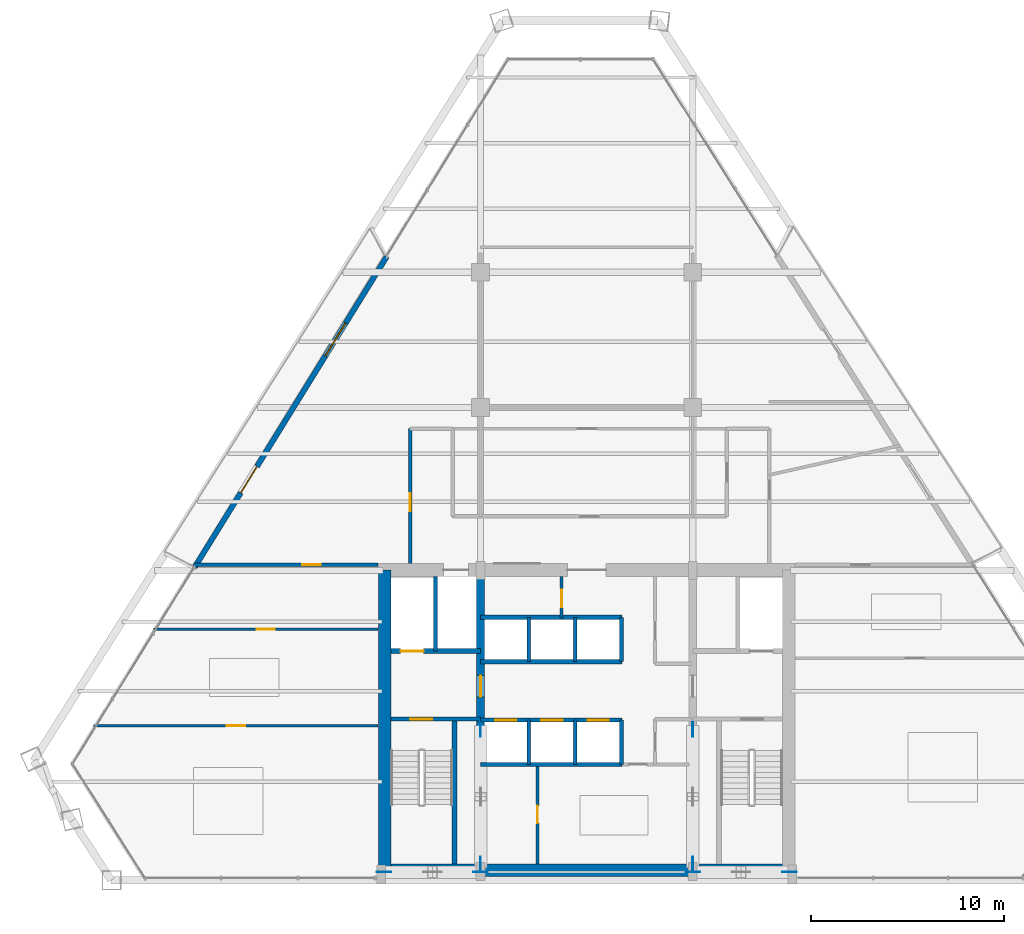
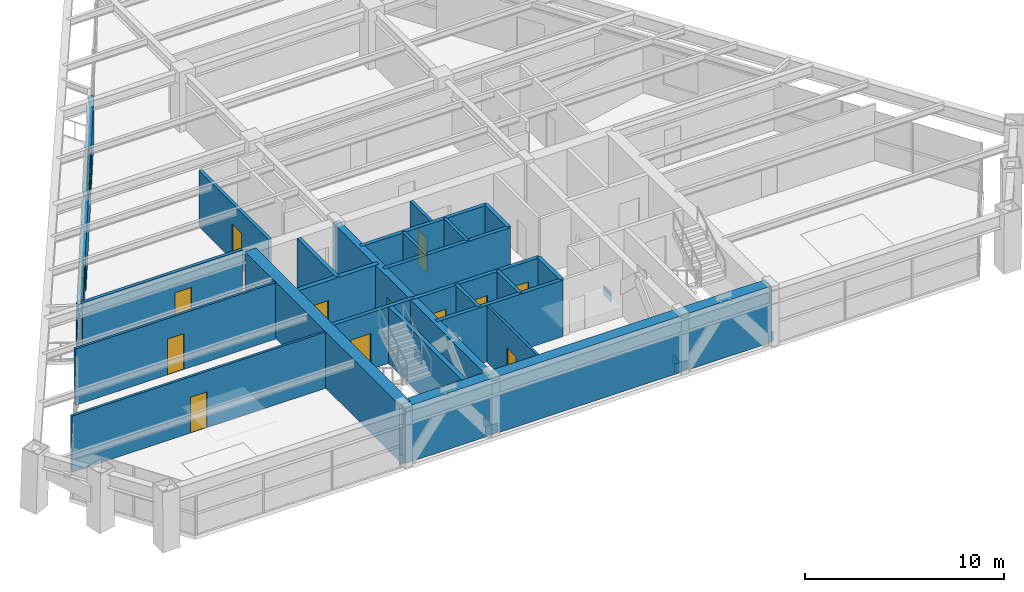
# One storey, part 11 of 15: 24 walls, 13 doors, 8 plates, 1 window, 14 openings.
"""IFC4 building model written with IfcOpenShell, lengths in metres."""

from ifc_helpers import new_model, si_unit, direction, frame, frame_2d, origin, origin_2d, place, context, subcontext, project, spatial, rectangle, extrude, source, transform, mapped, material, layer, layer_set, type_object, type_shapes, element, fill, save


model = new_model("IFC4")

# Units and contexts
model_context = context("Model", 3, precision=1e-05, world=origin(), true_north=direction((0.0, 1.0)))
body_context = subcontext(model_context, "Body", "Model", "MODEL_VIEW")
ifc_project = project(units=[si_unit("LENGTHUNIT", "METRE"), si_unit("AREAUNIT", "SQUARE_METRE"), si_unit("VOLUMEUNIT", "CUBIC_METRE"), si_unit("PLANEANGLEUNIT", "RADIAN"), si_unit("MASSUNIT", "GRAM", prefix="KILO")], contexts=[model_context])

# Site, building, storey
site_placement = place(None, origin())
site = spatial("IfcSite", under=ifc_project, at=site_placement, CompositionType="ELEMENT")
building_placement = place(site_placement, origin())
building = spatial("IfcBuilding", under=site, at=building_placement, Name="Varnakhor Terracotta Tower", CompositionType="ELEMENT")
storey_placement = place(building_placement, frame((0.0, 0.0, 189.5)))
storey = spatial("IfcBuildingStorey", under=building, at=storey_placement, Name="L48", CompositionType="ELEMENT", Elevation=189.5)

# Plates
ifc_material_1 = material(Name="Steel S460", Category="steel")
ifc_layer_1 = layer(ifc_material_1, 0.050048828125, Name="Steel S460")
ifc_layer_set_1 = layer_set([ifc_layer_1], Name="Steel S460")
plate_type = type_object("IfcPlateType", Name="PLT-GUSSET-50", PredefinedType="USERDEFINED", material=ifc_layer_set_1)
shared_shape_1 = source(origin(), body_context, "Body", "SweptSolid", [
    extrude(rectangle(XDim=0.75, YDim=0.0400390625, at=origin_2d()), origin(), (0.0, 0.0, 1.0), 0.550048828125),
])
type_shapes(plate_type, [shared_shape_1])
for number, where, z_axis, x_axis, name in (
    (1, (-10.5, 0.419921875, -0.09521484375), (0.0, 0.0, 1.0), (1.0, 0.0, 0.0), "L48 Core Brace Embed Plate CSWA"),
    (2, (-5.5, 0.419921875, -0.09521484375), (0.0, 0.0, 1.0), (1.0, 0.0, 0.0), "L48 Core Brace Embed Plate CSWB"),
    (3, (5.5, 0.419921875, -0.09521484375), (0.0, 0.0, 1.0), (1.0, 0.0, 0.0), "L48 Core Brace Embed Plate CSEA"),
    (4, (10.5, 0.419921875, -0.09521484375), (0.0, 0.0, 1.0), (1.0, 0.0, 0.0), "L48 Core Brace Embed Plate CSEB"),
    (5, (-5.5, 0.85009765625, -0.09521484375), (0.0, 0.0, 1.0), (0.0, 1.0, 0.0), "L48 Core Brace Embed Plate CWWA"),
    (6, (-5.5, 7.800048828125, -0.09521484375), (0.0, 0.0, 1.0), (0.0, 1.0, 0.0), "L48 Core Brace Embed Plate CWWB"),
    (7, (5.5, 0.85009765625, -0.09521484375), (0.0, 0.0, 1.0), (0.0, 1.0, 0.0), "L48 Core Brace Embed Plate CWEA"),
    (8, (5.5, 7.800048828125, -0.09521484375), (0.0, 0.0, 1.0), (0.0, 1.0, 0.0), "L48 Core Brace Embed Plate CWEB"),
):
    element("IfcPlate", number, at=place(storey_placement, frame(where, z_axis=z_axis, x_axis=x_axis)), inside=storey, type_object=plate_type, Name=name, ObjectType="GUSSET PLATE", PredefinedType="USERDEFINED", context=body_context, shape_type="MappedRepresentation", body=[
        mapped(shared_shape_1, transform((0.0, 0.0, 0.0), scale=1.0)),
    ])

# Walls
ifc_material_2 = material(Name="Concrete C50/60", Category="concrete")
ifc_layer_2 = layer(ifc_material_2, 0.64990234375, Name="Concrete C50/60")
ifc_layer_set_2 = layer_set([ifc_layer_2], Name="Concrete C50/60")
wall_type_1 = type_object("IfcWallType", Name="WAL-CORE-650", PredefinedType="SHEAR", material=ifc_layer_set_2)
wall_1_placement = place(storey_placement, frame((-10.64990234375, 0.52490234375, 0.0), z_axis=(0.0, 0.0, 1.0), x_axis=(1.0, 0.0, 0.0)))
element("IfcWall", 9, at=wall_1_placement, inside=storey, type_object=wall_type_1, Name="L48 South Core Shear Wall", PredefinedType="SHEAR", context=body_context, shape_type="SweptSolid", body=[
    extrude(rectangle(XDim=21.2998046875, YDim=0.64990234375, at=frame_2d((10.64990234375, 0.0))), origin(), (0.0, 0.0, 1.0), 3.469970703125),
])
wall_2_placement = place(storey_placement, frame((-10.47509765625, 0.52490234375, 0.0), z_axis=(0.0, 0.0, 1.0), x_axis=(0.0, 1.0, 0.0)))
element("IfcWall", 10, at=wall_2_placement, inside=storey, type_object=wall_type_1, Name="L48 West Core Shear Wall", PredefinedType="SHEAR", context=body_context, shape_type="SweptSolid", body=[
    extrude(rectangle(XDim=15.550048828125, YDim=0.64990234375, at=frame_2d((7.77490234375, 0.0))), origin(), (0.0, 0.0, 1.0), 3.469970703125),
])

# Wall, opening, door
ifc_layer_3 = layer(ifc_material_2, 0.39990234375, Name="Concrete C50/60")
ifc_layer_set_3 = layer_set([ifc_layer_3], Name="Concrete C50/60")
wall_type_2 = type_object("IfcWallType", Name="WAL-CORE-WEB-400", PredefinedType="SHEAR", material=ifc_layer_set_3)
wall_3_placement = place(storey_placement, frame((-5.5, 0.52490234375, 0.0), z_axis=(0.0, 0.0, 1.0), x_axis=(0.0, 1.0, 0.0)))
wall_3 = element("IfcWall", 11, at=wall_3_placement, inside=storey, type_object=wall_type_2, Name="L48 West Core Web Shear Wall", PredefinedType="SHEAR", context=body_context, shape_type="SweptSolid", body=[
    extrude(rectangle(XDim=15.550048828125, YDim=0.39990234375, at=frame_2d((7.77490234375, 0.0))), origin(), (0.0, 0.0, 1.0), 3.469970703125),
])
opening_1_placement = place(wall_3_placement, frame((8.97509765625, 0.0, 0.0)))
opening_1 = element("IfcOpeningElement", 12, at=opening_1_placement, cuts=wall_3, Name="Opening DR-25", PredefinedType="OPENING", context=body_context, shape_type="SweptSolid", body=[
    extrude(rectangle(XDim=1.10009765625, YDim=2.199951171875, at=frame_2d((0.550048828125, 1.10009765625))), frame((0.0, 0.2099609375, 0.0), z_axis=(0.0, -1.0, 0.0), x_axis=(1.0, 0.0, 0.0)), (0.0, 0.0, 1.0), 0.419921875),
])
ifc_material_3 = material(Name="Firefighting Lobby Self-Closing Fire Door", Category="steel")
door_type_1 = type_object("IfcDoorType", Name="DR-FFL-1100X2200", OperationType="NOTDEFINED", PredefinedType="DOOR", material=ifc_material_3)
shared_shape_2 = source(origin(), body_context, "Body", "SweptSolid", [
    extrude(rectangle(XDim=1.10009765625, YDim=2.199951171875, at=frame_2d((0.550048828125, 1.10009765625))), frame((0.0, 0.02490234375, 0.0), z_axis=(0.0, -1.0, 0.0), x_axis=(1.0, 0.0, 0.0)), (0.0, 0.0, 1.0), 0.050048828125),
])
type_shapes(door_type_1, [shared_shape_2])
door_1_placement = place(opening_1_placement, origin())
door_1 = element("IfcDoor", 13, at=door_1_placement, inside=storey, type_object=door_type_1, Name="L48 West Firefighting Lobby Door", OperationType="SINGLE_SWING_RIGHT", OverallHeight=2.199951171875, OverallWidth=1.10009765625, PredefinedType="DOOR", context=body_context, shape_type="MappedRepresentation", body=[
    mapped(shared_shape_2, transform((0.0, 0.0, 0.0), scale=1.0)),
])
fill(opening_1, door_1)

ifc_material_4 = material(Name="Fire-Rated Gypsum Stud Partition", Category="gypsum")
ifc_layer_4 = layer(ifc_material_4, 0.18505859375, Name="Fire-Rated Gypsum Stud Partition")
ifc_layer_set_4 = layer_set([ifc_layer_4], Name="Fire-Rated Gypsum Stud Partition")
wall_type_3 = type_object("IfcWallType", Name="WAL-CORR-185", PredefinedType="PARTITIONING", material=ifc_layer_set_4)
wall_4_placement = place(storey_placement, frame((-9.14990234375, 16.39990234375, 0.0), z_axis=(0.0, 0.0, 1.0), x_axis=(0.0, 1.0, 0.0)))
wall_4 = element("IfcWall", 14, at=wall_4_placement, inside=storey, type_object=wall_type_3, Name="L48 West Gallery Outer Wall", PredefinedType="PARTITIONING", context=body_context, shape_type="SweptSolid", body=[
    extrude(rectangle(XDim=7.0, YDim=0.18505859375, at=frame_2d((3.5, 0.0))), origin(), (0.0, 0.0, 1.0), 3.4619140625),
])
opening_2_placement = place(wall_4_placement, frame((2.708984375, 0.0, 0.0)))
opening_2 = element("IfcOpeningElement", 15, at=opening_2_placement, cuts=wall_4, Name="Opening DR-94", PredefinedType="OPENING", context=body_context, shape_type="SweptSolid", body=[
    extrude(rectangle(XDim=0.949951171875, YDim=2.199951171875, at=frame_2d((0.47509765625, 1.10009765625))), frame((0.0, 0.1025390625, 0.0), z_axis=(0.0, -1.0, 0.0), x_axis=(1.0, 0.0, 0.0)), (0.0, 0.0, 1.0), 0.205078125),
])
ifc_material_5 = material(Name="Acoustic Glazed-Vision Timber Office Door", Category="wood")
door_type_2 = type_object("IfcDoorType", Name="DR-OFF-950X2200", OperationType="NOTDEFINED", PredefinedType="DOOR", material=ifc_material_5)
shared_shape_3 = source(origin(), body_context, "Body", "SweptSolid", [
    extrude(rectangle(XDim=0.949951171875, YDim=2.199951171875, at=frame_2d((0.47509765625, 1.10009765625))), frame((0.0, 0.02490234375, 0.0), z_axis=(0.0, -1.0, 0.0), x_axis=(1.0, 0.0, 0.0)), (0.0, 0.0, 1.0), 0.050048828125),
])
type_shapes(door_type_2, [shared_shape_3])
door_2_placement = place(opening_2_placement, origin())
door_2 = element("IfcDoor", 16, at=door_2_placement, inside=storey, type_object=door_type_2, Name="L48 West Wing Door", OperationType="SINGLE_SWING_LEFT", OverallHeight=2.199951171875, OverallWidth=0.949951171875, PredefinedType="DOOR", context=body_context, shape_type="MappedRepresentation", body=[
    mapped(shared_shape_3, transform((0.0, 0.0, 0.0), scale=1.0)),
])
fill(opening_2, door_2)

wall_5_placement = place(storey_placement, frame((-20.388671875, 16.35009765625, 0.0), z_axis=(0.0, 0.0, 1.0), x_axis=(1.0, 0.0, 0.0)))
wall_5 = element("IfcWall", 17, at=wall_5_placement, inside=storey, type_object=wall_type_3, Name="L48 South West Entry Wall", PredefinedType="PARTITIONING", context=body_context, shape_type="SweptSolid", body=[
    extrude(rectangle(XDim=9.568603515625, YDim=0.18505859375, at=frame_2d((4.7841796875, 0.0))), origin(), (0.0, 0.0, 1.0), 3.4619140625),
])
opening_3_placement = place(wall_5_placement, frame((5.642578125, 0.0, 0.0)))
opening_3 = element("IfcOpeningElement", 18, at=opening_3_placement, cuts=wall_5, Name="Opening DR-94", PredefinedType="OPENING", context=body_context, shape_type="SweptSolid", body=[
    extrude(rectangle(XDim=0.949951171875, YDim=2.199951171875, at=frame_2d((0.47509765625, 1.10009765625))), frame((0.0, 0.1025390625, 0.0), z_axis=(0.0, -1.0, 0.0), x_axis=(1.0, 0.0, 0.0)), (0.0, 0.0, 1.0), 0.205078125),
])
door_3_placement = place(opening_3_placement, origin())
door_3 = element("IfcDoor", 19, at=door_3_placement, inside=storey, type_object=door_type_2, Name="L48 SW Suite Door", OperationType="SINGLE_SWING_LEFT", OverallHeight=2.199951171875, OverallWidth=0.949951171875, PredefinedType="DOOR", context=body_context, shape_type="MappedRepresentation", body=[
    mapped(shared_shape_3, transform((0.0, 0.0, 0.0), scale=1.0)),
])
fill(opening_3, door_3)

# Wall, openings, door, window
ifc_material_6 = material(Name="Extruded Architectural Terracotta Assembly", Category="masonry")
ifc_layer_5 = layer(ifc_material_6, 0.280029296875, Name="Extruded Architectural Terracotta Assembly")
ifc_layer_set_5 = layer_set([ifc_layer_5], Name="Extruded Architectural Terracotta Assembly")
wall_type_4 = type_object("IfcWallType", Name="WAL-EXT-TERRACOTTA-280", PredefinedType="SOLIDWALL", material=ifc_layer_set_5)
wall_6_placement = place(storey_placement, frame((-20.322265625, 16.210205078125, 0.0), z_axis=(0.0, 0.0, 1.0), x_axis=(0.525894981058, 0.850549509963, 0.0)))
wall_6 = element("IfcWall", 20, at=wall_6_placement, inside=storey, type_object=wall_type_4, Name="L48 W Loggia Insulated Terracotta Wall", PredefinedType="SOLIDWALL", context=body_context, shape_type="SweptSolid", body=[
    extrude(rectangle(XDim=18.947509765625, YDim=0.280029296875, at=frame_2d((9.4736328125, 0.0))), origin(), (0.0, 0.0, 1.0), 3.050048828125),
])
opening_4_placement = place(wall_6_placement, frame((4.54736328125, 0.0, 0.0)))
opening_4 = element("IfcOpeningElement", 21, at=opening_4_placement, cuts=wall_6, Name="Opening DR-62", PredefinedType="OPENING", context=body_context, shape_type="SweptSolid", body=[
    extrude(rectangle(XDim=1.60009765625, YDim=2.35009765625, at=frame_2d((0.800048828125, 1.175048828125))), frame((0.0, 0.14990234375, 0.0), z_axis=(0.0, -1.0, 0.0), x_axis=(1.0, 0.0, 0.0)), (0.0, 0.0, 1.0), 0.300048828125),
])
opening_5_placement = place(wall_6_placement, frame((12.88427734375, 0.0, 0.89990234375)))
opening_5 = element("IfcOpeningElement", 22, at=opening_5_placement, cuts=wall_6, Name="Opening WN-26", PredefinedType="OPENING", context=body_context, shape_type="SweptSolid", body=[
    extrude(rectangle(XDim=2.0, YDim=1.85009765625, at=frame_2d((1.0, 0.925048828125))), frame((0.0, 0.14990234375, 0.0), z_axis=(0.0, -1.0, 0.0), x_axis=(1.0, 0.0, 0.0)), (0.0, 0.0, 1.0), 0.300048828125),
])
ifc_material_7 = material(Name="Thermally Broken Sliding Glass Loggia Door", Category="glass")
door_type_3 = type_object("IfcDoorType", Name="DR-EXT-LOGGIA-1600X2350", OperationType="NOTDEFINED", PredefinedType="DOOR", material=ifc_material_7)
shared_shape_4 = source(origin(), body_context, "Body", "SweptSolid", [
    extrude(rectangle(XDim=1.60009765625, YDim=2.35009765625, at=frame_2d((0.800048828125, 1.175048828125))), frame((0.0, 0.02490234375, 0.0), z_axis=(0.0, -1.0, 0.0), x_axis=(1.0, 0.0, 0.0)), (0.0, 0.0, 1.0), 0.050048828125),
])
type_shapes(door_type_3, [shared_shape_4])
door_4_placement = place(opening_4_placement, origin())
door_4 = element("IfcDoor", 23, at=door_4_placement, inside=storey, type_object=door_type_3, Name="L48 W Recessed Loggia Sliding Door", OperationType="SLIDING_TO_LEFT", OverallHeight=2.35009765625, OverallWidth=1.60009765625, PredefinedType="DOOR", context=body_context, shape_type="MappedRepresentation", body=[
    mapped(shared_shape_4, transform((0.0, 0.0, 0.0), scale=1.0)),
])
fill(opening_4, door_4)
ifc_material_8 = material(Name="Solar-Control Low-E Insulated Glass Unit", Category="glass")
window_type = type_object("IfcWindowType", Name="WIN-OFF-2200X2100", PartitioningType="SINGLE_PANEL", PredefinedType="WINDOW", material=ifc_material_8)
shared_shape_5 = source(origin(), body_context, "Body", "SweptSolid", [
    extrude(rectangle(XDim=2.0, YDim=1.85009765625, at=frame_2d((1.0, 0.925048828125))), frame((0.0, 0.030029296875, 0.0), z_axis=(0.0, -1.0, 0.0), x_axis=(1.0, 0.0, 0.0)), (0.0, 0.0, 1.0), 0.06005859375),
])
type_shapes(window_type, [shared_shape_5])
window_placement = place(opening_5_placement, origin())
window = element("IfcWindow", 24, at=window_placement, inside=storey, type_object=window_type, Name="L48 W Facet Punched Window", OverallHeight=1.85009765625, OverallWidth=2.0, PartitioningType="SINGLE_PANEL", PredefinedType="WINDOW", context=body_context, shape_type="MappedRepresentation", body=[
    mapped(shared_shape_5, transform((0.0, 0.0, 0.0), scale=1.0)),
])
fill(opening_5, window)

# Wall, opening, door
ifc_material_9 = material(Name="Concrete C40/50", Category="concrete")
ifc_layer_6 = layer(ifc_material_9, 0.219970703125, Name="Concrete C40/50")
ifc_layer_set_6 = layer_set([ifc_layer_6], Name="Concrete C40/50")
wall_type_5 = type_object("IfcWallType", Name="WAL-FFLOBBY-220", PredefinedType="SOLIDWALL", material=ifc_layer_set_6)
wall_7_placement = place(storey_placement, frame((-5.5, 8.35009765625, 0.0), z_axis=(0.0, 0.0, 1.0), x_axis=(-1.0, 0.0, 0.0)))
wall_7 = element("IfcWall", 25, at=wall_7_placement, inside=storey, type_object=wall_type_5, Name="L48 West Firefighting Lobby Stair Wall", PredefinedType="SOLIDWALL", context=body_context, shape_type="SweptSolid", body=[
    extrude(rectangle(XDim=4.64990234375, YDim=0.219970703125, at=frame_2d((2.324951171875, 0.0))), origin(), (0.0, 0.0, 1.0), 3.469970703125),
])
opening_6_placement = place(wall_7_placement, frame((2.5, 0.0, 0.0)))
opening_6 = element("IfcOpeningElement", 26, at=opening_6_placement, cuts=wall_7, Name="Opening DR-34", PredefinedType="OPENING", context=body_context, shape_type="SweptSolid", body=[
    extrude(rectangle(XDim=1.14990234375, YDim=2.199951171875, at=frame_2d((0.574951171875, 1.10009765625))), frame((0.0, 0.1201171875, 0.0), z_axis=(0.0, -1.0, 0.0), x_axis=(1.0, 0.0, 0.0)), (0.0, 0.0, 1.0), 0.239990234375),
])
ifc_material_10 = material(Name="Self-Closing Smoke-Sealed Steel Fire Door", Category="steel")
door_type_4 = type_object("IfcDoorType", Name="DR-STAIR-1150X2200", OperationType="NOTDEFINED", PredefinedType="DOOR", material=ifc_material_10)
shared_shape_6 = source(origin(), body_context, "Body", "SweptSolid", [
    extrude(rectangle(XDim=1.14990234375, YDim=2.199951171875, at=frame_2d((0.574951171875, 1.10009765625))), frame((0.0, 0.02490234375, 0.0), z_axis=(0.0, -1.0, 0.0), x_axis=(1.0, 0.0, 0.0)), (0.0, 0.0, 1.0), 0.050048828125),
])
type_shapes(door_type_4, [shared_shape_6])
door_5_placement = place(opening_6_placement, origin())
door_5 = element("IfcDoor", 27, at=door_5_placement, inside=storey, type_object=door_type_4, Name="L48 Exit Stair ST-1 Fire Door", OperationType="SINGLE_SWING_LEFT", OverallHeight=2.199951171875, OverallWidth=1.14990234375, PredefinedType="DOOR", context=body_context, shape_type="MappedRepresentation", body=[
    mapped(shared_shape_6, transform((0.0, 0.0, 0.0), scale=1.0)),
])
fill(opening_6, door_5)

ifc_material_11 = material(Name="Acoustic Metal-Stud Partition", Category="gypsum")
ifc_layer_7 = layer(ifc_material_11, 0.139892578125, Name="Acoustic Metal-Stud Partition")
ifc_layer_set_7 = layer_set([ifc_layer_7], Name="Acoustic Metal-Stud Partition")
wall_type_6 = type_object("IfcWallType", Name="WAL-PART-140", PredefinedType="PARTITIONING", material=ifc_layer_set_7)
wall_8_placement = place(storey_placement, frame((-25.551513671875, 8.0, 0.0), z_axis=(0.0, 0.0, 1.0), x_axis=(1.0, 0.0, 0.0)))
wall_8 = element("IfcWall", 28, at=wall_8_placement, inside=storey, type_object=wall_type_6, Name="L48 West Wing Cut 1", PredefinedType="PARTITIONING", context=body_context, shape_type="SweptSolid", body=[
    extrude(rectangle(XDim=14.7314453125, YDim=0.139892578125, at=frame_2d((7.36572265625, 0.0))), origin(), (0.0, 0.0, 1.0), 3.4619140625),
])
opening_7_placement = place(wall_8_placement, frame((6.896728515625, 0.0, 0.0)))
opening_7 = element("IfcOpeningElement", 29, at=opening_7_placement, cuts=wall_8, Name="Opening DR-94", PredefinedType="OPENING", context=body_context, shape_type="SweptSolid", body=[
    extrude(rectangle(XDim=0.949951171875, YDim=2.199951171875, at=frame_2d((0.47509765625, 1.10009765625))), frame((0.0, 0.080078125, 0.0), z_axis=(0.0, -1.0, 0.0), x_axis=(1.0, 0.0, 0.0)), (0.0, 0.0, 1.0), 0.159912109375),
])
door_6_placement = place(opening_7_placement, origin())
door_6 = element("IfcDoor", 30, at=door_6_placement, inside=storey, type_object=door_type_2, Name="L48 Corporate Office 1 Door", OperationType="SINGLE_SWING_LEFT", OverallHeight=2.199951171875, OverallWidth=0.949951171875, PredefinedType="DOOR", context=body_context, shape_type="MappedRepresentation", body=[
    mapped(shared_shape_3, transform((0.0, 0.0, 0.0), scale=1.0)),
])
fill(opening_7, door_6)

wall_9_placement = place(storey_placement, frame((-22.4599609375, 13.0, 0.0), z_axis=(0.0, 0.0, 1.0), x_axis=(1.0, 0.0, 0.0)))
wall_9 = element("IfcWall", 31, at=wall_9_placement, inside=storey, type_object=wall_type_6, Name="L48 West Wing Cut 2", PredefinedType="PARTITIONING", context=body_context, shape_type="SweptSolid", body=[
    extrude(rectangle(XDim=11.639892578125, YDim=0.139892578125, at=frame_2d((5.81982421875, 0.0))), origin(), (0.0, 0.0, 1.0), 3.4619140625),
])
opening_8_placement = place(wall_9_placement, frame((5.35107421875, 0.0, 0.0)))
opening_8 = element("IfcOpeningElement", 32, at=opening_8_placement, cuts=wall_9, Name="Opening DR-94", PredefinedType="OPENING", context=body_context, shape_type="SweptSolid", body=[
    extrude(rectangle(XDim=0.949951171875, YDim=2.199951171875, at=frame_2d((0.47509765625, 1.10009765625))), frame((0.0, 0.080078125, 0.0), z_axis=(0.0, -1.0, 0.0), x_axis=(1.0, 0.0, 0.0)), (0.0, 0.0, 1.0), 0.159912109375),
])
door_7_placement = place(opening_8_placement, origin())
door_7 = element("IfcDoor", 33, at=door_7_placement, inside=storey, type_object=door_type_2, Name="L48 Corporate Strategy Office 4 B3 Door", OperationType="SINGLE_SWING_RIGHT", OverallHeight=2.199951171875, OverallWidth=0.949951171875, PredefinedType="DOOR", context=body_context, shape_type="MappedRepresentation", body=[
    mapped(shared_shape_3, transform((0.0, 0.0, 0.0), scale=1.0)),
])
fill(opening_8, door_7)

# Walls
ifc_layer_8 = layer(ifc_material_9, 0.179931640625, Name="Concrete C40/50")
ifc_layer_set_8 = layer_set([ifc_layer_8], Name="Concrete C40/50")
wall_type_7 = type_object("IfcWallType", Name="WAL-SHAFT-180", PredefinedType="SOLIDWALL", material=ifc_layer_set_8)
for number, where, z_axis, x_axis, name in (
    (34, (-3.0, 6.0, 0.0), (0.0, 0.0, 1.0), (0.0, 1.0, 0.0), "L48 PL-2A Divider"),
    (35, (-0.60009765625, 6.0, 0.0), (0.0, 0.0, 1.0), (0.0, 1.0, 0.0), "L48 PL-2B Divider"),
    (36, (-3.0, 11.320068359375, 0.0), (0.0, 0.0, 1.0), (0.0, 1.0, 0.0), "L48 PL-3A Divider"),
    (37, (-0.60009765625, 11.320068359375, 0.0), (0.0, 0.0, 1.0), (0.0, 1.0, 0.0), "L48 PL-3B Divider"),
):
    element("IfcWall", number, at=place(storey_placement, frame(where, z_axis=z_axis, x_axis=x_axis)), inside=storey, type_object=wall_type_7, Name=name, PredefinedType="SOLIDWALL", context=body_context, shape_type="SweptSolid", body=[
        extrude(rectangle(XDim=2.300048828125, YDim=0.179931640625, at=frame_2d((1.14990234375, 0.0))), origin(), (0.0, 0.0, 1.0), 3.469970703125),
    ])
ifc_layer_9 = layer(ifc_material_9, 0.219970703125, Name="Concrete C40/50")
ifc_layer_set_9 = layer_set([ifc_layer_9], Name="Concrete C40/50")
wall_type_8 = type_object("IfcWallType", Name="WAL-SHAFT-220", PredefinedType="SOLIDWALL", material=ifc_layer_set_9)
wall_10_placement = place(storey_placement, frame((-7.840087890625, 11.8701171875, 0.0), z_axis=(0.0, 0.0, 1.0), x_axis=(0.0, 1.0, 0.0)))
element("IfcWall", 38, at=wall_10_placement, inside=storey, type_object=wall_type_8, Name="L48 Lift FFL-1 and SVL-1 Divider Wall", PredefinedType="SOLIDWALL", context=body_context, shape_type="SweptSolid", body=[
    extrude(rectangle(XDim=3.8798828125, YDim=0.219970703125, at=frame_2d((1.93994140625, 0.0))), origin(), (0.0, 0.0, 1.0), 3.469970703125),
])
wall_11_placement = place(storey_placement, frame((-5.5, 6.0, 0.0), z_axis=(0.0, 0.0, 1.0), x_axis=(1.0, 0.0, 0.0)))
element("IfcWall", 39, at=wall_11_placement, inside=storey, type_object=wall_type_8, Name="L48 Bank 2 South Shaft Wall", PredefinedType="SOLIDWALL", context=body_context, shape_type="SweptSolid", body=[
    extrude(rectangle(XDim=7.320068359375, YDim=0.219970703125, at=frame_2d((3.66015625, 0.0))), origin(), (0.0, 0.0, 1.0), 3.469970703125),
])

# Wall, openings, doors
wall_12_placement = place(storey_placement, frame((-5.5, 8.300048828125, 0.0), z_axis=(0.0, 0.0, 1.0), x_axis=(1.0, 0.0, 0.0)))
wall_12 = element("IfcWall", 40, at=wall_12_placement, inside=storey, type_object=wall_type_8, Name="L48 Bank 2 North Shaft Wall", PredefinedType="SOLIDWALL", context=body_context, shape_type="SweptSolid", body=[
    extrude(rectangle(XDim=7.320068359375, YDim=0.219970703125, at=frame_2d((3.66015625, 0.0))), origin(), (0.0, 0.0, 1.0), 3.469970703125),
])
opening_9_placement = place(wall_12_placement, frame((0.75, 0.0, 0.0)))
opening_9 = element("IfcOpeningElement", 41, at=opening_9_placement, cuts=wall_12, Name="Opening LD-01", PredefinedType="OPENING", context=body_context, shape_type="SweptSolid", body=[
    extrude(rectangle(XDim=1.10009765625, YDim=2.199951171875, at=frame_2d((0.550048828125, 1.10009765625))), frame((0.0, 0.1201171875, 0.0), z_axis=(0.0, -1.0, 0.0), x_axis=(1.0, 0.0, 0.0)), (0.0, 0.0, 1.0), 0.239990234375),
])
opening_10_placement = place(wall_12_placement, frame((3.14990234375, 0.0, 0.0)))
opening_10 = element("IfcOpeningElement", 42, at=opening_10_placement, cuts=wall_12, Name="Opening LD-01", PredefinedType="OPENING", context=body_context, shape_type="SweptSolid", body=[
    extrude(rectangle(XDim=1.10009765625, YDim=2.199951171875, at=frame_2d((0.550048828125, 1.10009765625))), frame((0.0, 0.1201171875, 0.0), z_axis=(0.0, -1.0, 0.0), x_axis=(1.0, 0.0, 0.0)), (0.0, 0.0, 1.0), 0.239990234375),
])
opening_11_placement = place(wall_12_placement, frame((5.550048828125, 0.0, 0.0)))
opening_11 = element("IfcOpeningElement", 43, at=opening_11_placement, cuts=wall_12, Name="Opening LD-01", PredefinedType="OPENING", context=body_context, shape_type="SweptSolid", body=[
    extrude(rectangle(XDim=1.10009765625, YDim=2.199951171875, at=frame_2d((0.550048828125, 1.10009765625))), frame((0.0, 0.1201171875, 0.0), z_axis=(0.0, -1.0, 0.0), x_axis=(1.0, 0.0, 0.0)), (0.0, 0.0, 1.0), 0.239990234375),
])
ifc_material_12 = material(Name="Brushed Stainless Steel Sliding Lift Landing Door", Category="steel")
door_type_5 = type_object("IfcDoorType", Name="LD-PASS-1100X2200", OperationType="NOTDEFINED", PredefinedType="DOOR", material=ifc_material_12)
shared_shape_7 = source(origin(), body_context, "Body", "SweptSolid", [
    extrude(rectangle(XDim=1.10009765625, YDim=2.199951171875, at=frame_2d((0.550048828125, 1.10009765625))), frame((0.0, 0.02490234375, 0.0), z_axis=(0.0, -1.0, 0.0), x_axis=(1.0, 0.0, 0.0)), (0.0, 0.0, 1.0), 0.050048828125),
])
type_shapes(door_type_5, [shared_shape_7])
door_8_placement = place(opening_9_placement, origin())
door_8 = element("IfcDoor", 44, at=door_8_placement, inside=storey, type_object=door_type_5, Name="L48 Passenger Lift PL-2A Landing Door", OperationType="SLIDING_TO_LEFT", OverallHeight=2.199951171875, OverallWidth=1.10009765625, PredefinedType="DOOR", context=body_context, shape_type="MappedRepresentation", body=[
    mapped(shared_shape_7, transform((0.0, 0.0, 0.0), scale=1.0)),
])
fill(opening_9, door_8)
door_9_placement = place(opening_10_placement, origin())
door_9 = element("IfcDoor", 45, at=door_9_placement, inside=storey, type_object=door_type_5, Name="L48 Passenger Lift PL-2B Landing Door", OperationType="SLIDING_TO_LEFT", OverallHeight=2.199951171875, OverallWidth=1.10009765625, PredefinedType="DOOR", context=body_context, shape_type="MappedRepresentation", body=[
    mapped(shared_shape_7, transform((0.0, 0.0, 0.0), scale=1.0)),
])
fill(opening_10, door_9)
door_10_placement = place(opening_11_placement, origin())
door_10 = element("IfcDoor", 46, at=door_10_placement, inside=storey, type_object=door_type_5, Name="L48 Passenger Lift PL-2C Landing Door", OperationType="SLIDING_TO_LEFT", OverallHeight=2.199951171875, OverallWidth=1.10009765625, PredefinedType="DOOR", context=body_context, shape_type="MappedRepresentation", body=[
    mapped(shared_shape_7, transform((0.0, 0.0, 0.0), scale=1.0)),
])
fill(opening_11, door_10)

# Walls
wall_13_placement = place(storey_placement, frame((1.800048828125, 6.0, 0.0), z_axis=(0.0, 0.0, 1.0), x_axis=(0.0, 1.0, 0.0)))
element("IfcWall", 47, at=wall_13_placement, inside=storey, type_object=wall_type_8, Name="L48 Bank 2 East Shaft Wall", PredefinedType="SOLIDWALL", context=body_context, shape_type="SweptSolid", body=[
    extrude(rectangle(XDim=2.300048828125, YDim=0.219970703125, at=frame_2d((1.14990234375, 0.0))), origin(), (0.0, 0.0, 1.0), 3.469970703125),
])
for number, where, z_axis, x_axis, name in (
    (48, (-5.5, 11.320068359375, 0.0), (0.0, 0.0, 1.0), (1.0, 0.0, 0.0), "L48 Bank 3 South Shaft Wall"),
    (49, (-5.5, 13.6201171875, 0.0), (0.0, 0.0, 1.0), (1.0, 0.0, 0.0), "L48 Bank 3 North Shaft Wall"),
):
    element("IfcWall", number, at=place(storey_placement, frame(where, z_axis=z_axis, x_axis=x_axis)), inside=storey, type_object=wall_type_8, Name=name, PredefinedType="SOLIDWALL", context=body_context, shape_type="SweptSolid", body=[
        extrude(rectangle(XDim=7.320068359375, YDim=0.219970703125, at=frame_2d((3.66015625, 0.0))), origin(), (0.0, 0.0, 1.0), 3.469970703125),
    ])
wall_14_placement = place(storey_placement, frame((1.800048828125, 11.320068359375, 0.0), z_axis=(0.0, 0.0, 1.0), x_axis=(0.0, 1.0, 0.0)))
element("IfcWall", 50, at=wall_14_placement, inside=storey, type_object=wall_type_8, Name="L48 Bank 3 East Shaft Wall", PredefinedType="SOLIDWALL", context=body_context, shape_type="SweptSolid", body=[
    extrude(rectangle(XDim=2.300048828125, YDim=0.219970703125, at=frame_2d((1.14990234375, 0.0))), origin(), (0.0, 0.0, 1.0), 3.469970703125),
])
ifc_layer_10 = layer(ifc_material_9, 0.25, Name="Concrete C40/50")
ifc_layer_set_10 = layer_set([ifc_layer_10], Name="Concrete C40/50")
wall_type_9 = type_object("IfcWallType", Name="WAL-SHAFT-250", PredefinedType="SOLIDWALL", material=ifc_layer_set_10)
wall_15_placement = place(storey_placement, frame((-6.85009765625, 0.85009765625, 0.0), z_axis=(0.0, 0.0, 1.0), x_axis=(0.0, 1.0, 0.0)))
element("IfcWall", 51, at=wall_15_placement, inside=storey, type_object=wall_type_9, Name="L48 Stair ST-1 Bearing Shaft Wall", PredefinedType="SOLIDWALL", context=body_context, shape_type="SweptSolid", body=[
    extrude(rectangle(XDim=7.5, YDim=0.25, at=frame_2d((3.75, 0.0))), origin(), (0.0, 0.0, 1.0), 3.469970703125),
])

# Wall, opening, door
wall_16_placement = place(storey_placement, frame((-5.5, 11.8701171875, 0.0), z_axis=(0.0, 0.0, 1.0), x_axis=(-1.0, 0.0, 0.0)))
wall_16 = element("IfcWall", 52, at=wall_16_placement, inside=storey, type_object=wall_type_9, Name="L48 Lift FFL-1 Shaft Front Wall", PredefinedType="SOLIDWALL", context=body_context, shape_type="SweptSolid", body=[
    extrude(rectangle(XDim=4.64990234375, YDim=0.25, at=frame_2d((2.324951171875, 0.0))), origin(), (0.0, 0.0, 1.0), 3.469970703125),
])
opening_12_placement = place(wall_16_placement, frame((2.949951171875, 0.0, 0.0)))
opening_12 = element("IfcOpeningElement", 53, at=opening_12_placement, cuts=wall_16, Name="Opening LD-02", PredefinedType="OPENING", context=body_context, shape_type="SweptSolid", body=[
    extrude(rectangle(XDim=1.199951171875, YDim=2.25, at=frame_2d((0.60009765625, 1.125))), frame((0.0, 0.135009765625, 0.0), z_axis=(0.0, -1.0, 0.0), x_axis=(1.0, 0.0, 0.0)), (0.0, 0.0, 1.0), 0.27001953125),
])
ifc_material_13 = material(Name="Firefighting Stretcher Sliding Lift Landing Door", Category="steel")
door_type_6 = type_object("IfcDoorType", Name="LD-FFL-1200X2250", OperationType="NOTDEFINED", PredefinedType="DOOR", material=ifc_material_13)
shared_shape_8 = source(origin(), body_context, "Body", "SweptSolid", [
    extrude(rectangle(XDim=1.199951171875, YDim=2.25, at=frame_2d((0.60009765625, 1.125))), frame((0.0, 0.02490234375, 0.0), z_axis=(0.0, -1.0, 0.0), x_axis=(1.0, 0.0, 0.0)), (0.0, 0.0, 1.0), 0.050048828125),
])
type_shapes(door_type_6, [shared_shape_8])
door_11_placement = place(opening_12_placement, origin())
door_11 = element("IfcDoor", 54, at=door_11_placement, inside=storey, type_object=door_type_6, Name="L48 Firefighting Lift FFL-1 Landing Door", OperationType="SLIDING_TO_LEFT", OverallHeight=2.25, OverallWidth=1.199951171875, PredefinedType="DOOR", context=body_context, shape_type="MappedRepresentation", body=[
    mapped(shared_shape_8, transform((0.0, 0.0, 0.0), scale=1.0)),
])
fill(opening_12, door_11)

ifc_material_14 = material(Name="Acoustic Fire-Rated Partition", Category="gypsum")
ifc_layer_11 = layer(ifc_material_14, 0.139892578125, Name="Acoustic Fire-Rated Partition")
ifc_layer_set_11 = layer_set([ifc_layer_11], Name="Acoustic Fire-Rated Partition")
wall_type_10 = type_object("IfcWallType", Name="WAL-TENANCY-140", PredefinedType="PARTITIONING", material=ifc_layer_set_11)
wall_17_placement = place(storey_placement, frame((-2.550048828125, 0.85009765625, 0.0), z_axis=(0.0, 0.0, 1.0), x_axis=(0.0, 1.0, 0.0)))
wall_17 = element("IfcWall", 55, at=wall_17_placement, inside=storey, type_object=wall_type_10, Name="L48 Reclaimed Core Bay Split Wall", PredefinedType="PARTITIONING", context=body_context, shape_type="SweptSolid", body=[
    extrude(rectangle(XDim=5.02978515625, YDim=0.139892578125, at=frame_2d((2.514892578125, 0.0))), origin(), (0.0, 0.0, 1.0), 3.4619140625),
])
opening_13_placement = place(wall_17_placement, frame((2.10009765625, 0.0, 0.0)))
opening_13 = element("IfcOpeningElement", 56, at=opening_13_placement, cuts=wall_17, Name="Opening DR-67", PredefinedType="OPENING", context=body_context, shape_type="SweptSolid", body=[
    extrude(rectangle(XDim=0.89990234375, YDim=2.10009765625, at=frame_2d((0.449951171875, 1.050048828125))), frame((0.0, 0.080078125, 0.0), z_axis=(0.0, -1.0, 0.0), x_axis=(1.0, 0.0, 0.0)), (0.0, 0.0, 1.0), 0.159912109375),
])
ifc_material_15 = material(Name="Steel Service Riser Fire Door", Category="steel")
door_type_7 = type_object("IfcDoorType", Name="DR-RISER-900X2100", OperationType="NOTDEFINED", PredefinedType="DOOR", material=ifc_material_15)
shared_shape_9 = source(origin(), body_context, "Body", "SweptSolid", [
    extrude(rectangle(XDim=0.89990234375, YDim=2.10009765625, at=frame_2d((0.449951171875, 1.050048828125))), frame((0.0, 0.02490234375, 0.0), z_axis=(0.0, -1.0, 0.0), x_axis=(1.0, 0.0, 0.0)), (0.0, 0.0, 1.0), 0.050048828125),
])
type_shapes(door_type_7, [shared_shape_9])
door_12_placement = place(opening_13_placement, origin())
door_12 = element("IfcDoor", 57, at=door_12_placement, inside=storey, type_object=door_type_7, Name="L48 Core Inner Service Door", OperationType="SINGLE_SWING_RIGHT", OverallHeight=2.10009765625, OverallWidth=0.89990234375, PredefinedType="DOOR", context=body_context, shape_type="MappedRepresentation", body=[
    mapped(shared_shape_9, transform((0.0, 0.0, 0.0), scale=1.0)),
])
fill(opening_13, door_12)

ifc_layer_12 = layer(ifc_material_14, 0.1650390625, Name="Acoustic Fire-Rated Partition")
ifc_layer_set_12 = layer_set([ifc_layer_12], Name="Acoustic Fire-Rated Partition")
wall_type_11 = type_object("IfcWallType", Name="WAL-TENANCY-165", PredefinedType="PARTITIONING", material=ifc_layer_set_12)
wall_18_placement = place(storey_placement, frame((-1.300048828125, 13.60009765625, 0.0), z_axis=(0.0, 0.0, 1.0), x_axis=(0.0, 1.0, 0.0)))
wall_18 = element("IfcWall", 58, at=wall_18_placement, inside=storey, type_object=wall_type_11, Name="L48 Male Restroom Wall", PredefinedType="PARTITIONING", context=body_context, shape_type="SweptSolid", body=[
    extrude(rectangle(XDim=2.14990234375, YDim=0.1650390625, at=frame_2d((1.074951171875, 0.0))), origin(), (0.0, 0.0, 1.0), 3.4619140625),
])
opening_14_placement = place(wall_18_placement, frame((0.550048828125, 0.0, 0.0)))
opening_14 = element("IfcOpeningElement", 59, at=opening_14_placement, cuts=wall_18, Name="Opening DR-67", PredefinedType="OPENING", context=body_context, shape_type="SweptSolid", body=[
    extrude(rectangle(XDim=0.89990234375, YDim=2.10009765625, at=frame_2d((0.449951171875, 1.050048828125))), frame((0.0, 0.092529296875, 0.0), z_axis=(0.0, -1.0, 0.0), x_axis=(1.0, 0.0, 0.0)), (0.0, 0.0, 1.0), 0.18505859375),
])
door_13_placement = place(opening_14_placement, origin())
door_13 = element("IfcDoor", 60, at=door_13_placement, inside=storey, type_object=door_type_7, Name="L48 Male WC Door", OperationType="SINGLE_SWING_RIGHT", OverallHeight=2.10009765625, OverallWidth=0.89990234375, PredefinedType="DOOR", context=body_context, shape_type="MappedRepresentation", body=[
    mapped(shared_shape_9, transform((0.0, 0.0, 0.0), scale=1.0)),
])
fill(opening_14, door_13)

save(model, "model.ifc")
